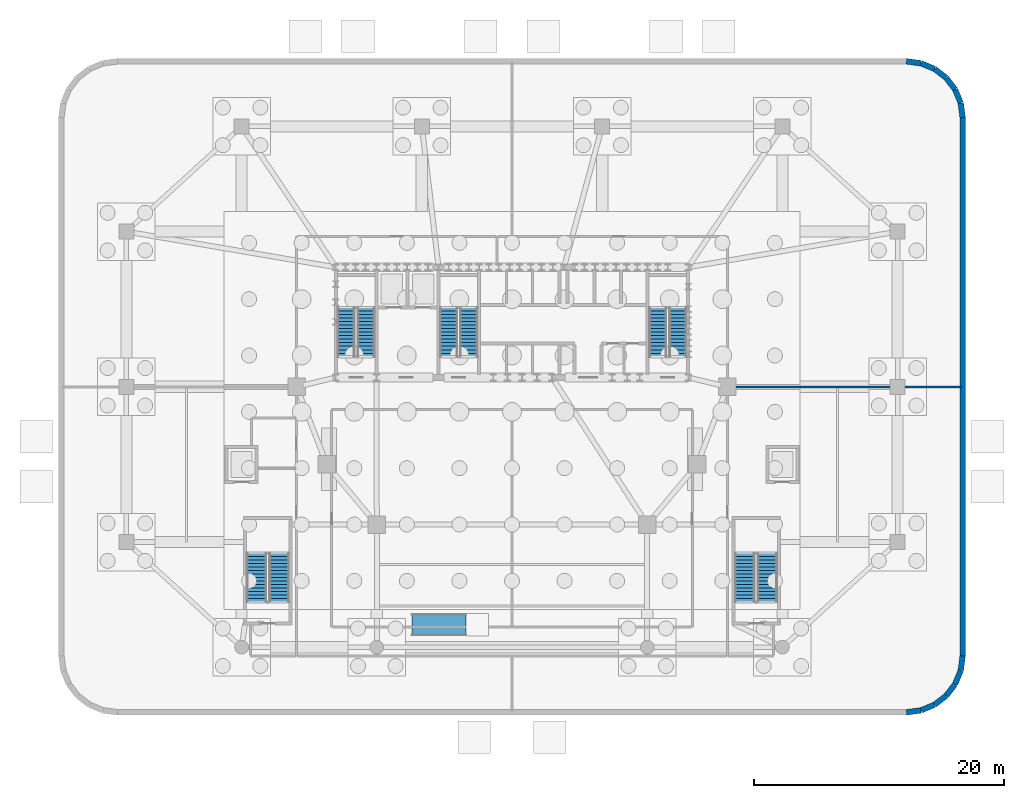
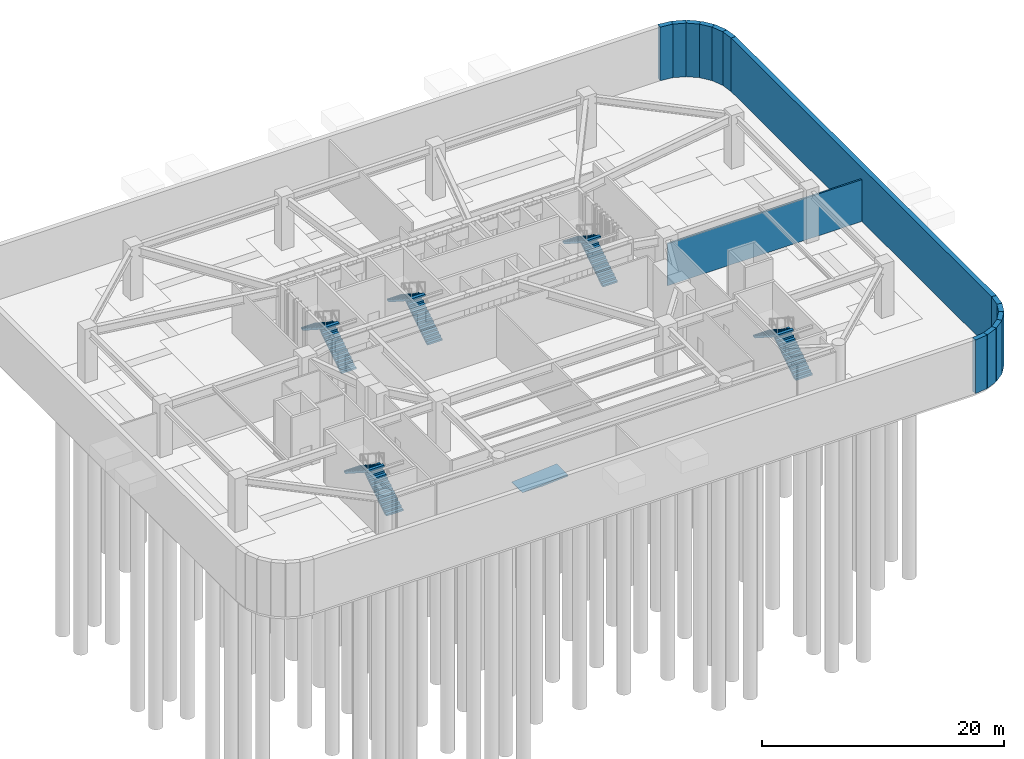
# One storey, part 7 of 11: 14 walls, 10 stair flights, 1 ramp flight, 6 elements without a shape of their own.
"""IFC4 building model written with IfcOpenShell, lengths in metres."""

from ifc_helpers import new_model, si_unit, direction, frame, frame_2d, origin, place, context, subcontext, project, spatial, polyline, rectangle, outline, extrude, material, layer, layer_set, type_object, element, aggregate, save


model = new_model("IFC4")

# Units and contexts
model_context = context("Model", 3, precision=1e-05, world=origin(), true_north=direction((0.0, 1.0)))
body_context = subcontext(model_context, "Body", "Model", "MODEL_VIEW")
ifc_project = project(units=[si_unit("LENGTHUNIT", "METRE"), si_unit("AREAUNIT", "SQUARE_METRE"), si_unit("VOLUMEUNIT", "CUBIC_METRE"), si_unit("PLANEANGLEUNIT", "RADIAN"), si_unit("MASSUNIT", "GRAM", prefix="KILO")], contexts=[model_context])

# Site, building, storey
site_placement = place(None, origin())
site = spatial("IfcSite", under=ifc_project, at=site_placement, CompositionType="ELEMENT")
building_placement = place(site_placement, origin())
building = spatial("IfcBuilding", under=site, at=building_placement, Name="Haldorwick Loom Tower", CompositionType="ELEMENT")
storey_placement = place(building_placement, frame((0.0, 0.0, -5.39990234375)))
storey = spatial("IfcBuildingStorey", under=building, at=storey_placement, Name="B01", CompositionType="ELEMENT", Elevation=-5.39990234375)

# Walls
ifc_material_1 = material(Name="Fire-Rated Type X Gypsum Stud Assembly EI 60")
ifc_layer_1 = layer(ifc_material_1, 0.159912109375, Name="Fire-Rated Type X Gypsum Stud Assembly EI 60")
ifc_layer_set_1 = layer_set([ifc_layer_1], Name="Fire-Rated Type X Gypsum Stud Assembly EI 60")
wall_type_1 = type_object("IfcWallType", Name="ARC-WL-FIRE160", PredefinedType="PARTITIONING", material=ifc_layer_set_1)
wall_1_placement = place(storey_placement, frame((53.282958984375, 26.0, 0.0), z_axis=(0.0, 0.0, 1.0), x_axis=(1.0, 0.0, 0.0)))
element("IfcWall", 1, at=wall_1_placement, inside=storey, type_object=wall_type_1, Name="B01 Podium Partition B01-DV4", PredefinedType="PARTITIONING", context=body_context, shape_type="SweptSolid", body=[
    extrude(rectangle(XDim=18.616943359375, YDim=0.159912109375, at=frame_2d((9.30859375, 0.0))), origin(), (0.0, 0.0, 1.0), 4.219970703125),
])
ifc_material_2 = material(Name="Concrete C45 (45 MPa)", Category="concrete")
ifc_layer_2 = layer(ifc_material_2, 0.449951171875, Name="Concrete C45 (45 MPa)", Category="concrete")
ifc_layer_set_2 = layer_set([ifc_layer_2], Name="Concrete C45 (45 MPa)")
wall_type_2 = type_object("IfcWallType", Name="STR-WL-BSMT450", PredefinedType="SOLIDWALL", material=ifc_layer_set_2)
wall_2_placement = place(storey_placement, frame((67.5, 0.0, 0.0), z_axis=(0.0, 0.0, 1.0), x_axis=(0.991447928588, 0.130502892298, 0.0)))
element("IfcWall", 2, at=wall_2_placement, inside=storey, type_object=wall_type_2, Name="B01 Perimeter Basement Retaining Wall 1", PredefinedType="SOLIDWALL", context=body_context, shape_type="SweptSolid", body=[
    extrude(rectangle(XDim=1.1748046875, YDim=0.449951171875, at=frame_2d((0.58740234375, 0.0))), origin(), (0.0, 0.0, 1.0), 5.39990234375),
])
wall_3_placement = place(storey_placement, frame((68.664794921875, 0.1533203125, 0.0), z_axis=(0.0, 0.0, 1.0), x_axis=(0.923892706888, 0.382651625058, 0.0)))
element("IfcWall", 3, at=wall_3_placement, inside=storey, type_object=wall_type_2, Name="B01 Perimeter Basement Retaining Wall 2", PredefinedType="SOLIDWALL", context=body_context, shape_type="SweptSolid", body=[
    extrude(rectangle(XDim=1.174560546875, YDim=0.449951171875, at=frame_2d((0.58740234375, 0.0))), origin(), (0.0, 0.0, 1.0), 5.39990234375),
])
for number, where, z_axis, x_axis, name in (
    (4, (69.75, 0.602783203125, 0.0), (0.0, 0.0, 1.0), (0.79324162823, 0.60890698735, 0.0), "B01 Perimeter Basement Retaining Wall 3"),
    (5, (70.681884765625, 1.318115234375, 0.0), (0.0, 0.0, 1.0), (0.60890698735, 0.79324162823, 0.0), "B01 Perimeter Basement Retaining Wall 4"),
):
    element("IfcWall", number, at=place(storey_placement, frame(where, z_axis=z_axis, x_axis=x_axis)), inside=storey, type_object=wall_type_2, Name=name, PredefinedType="SOLIDWALL", context=body_context, shape_type="SweptSolid", body=[
        extrude(rectangle(XDim=1.1748046875, YDim=0.449951171875, at=frame_2d((0.58740234375, 0.0))), origin(), (0.0, 0.0, 1.0), 5.39990234375),
    ])
wall_4_placement = place(storey_placement, frame((71.397216796875, 2.25, 0.0), z_axis=(0.0, 0.0, 1.0), x_axis=(0.382651625058, 0.923892706888, 0.0)))
element("IfcWall", 6, at=wall_4_placement, inside=storey, type_object=wall_type_2, Name="B01 Perimeter Basement Retaining Wall 5", PredefinedType="SOLIDWALL", context=body_context, shape_type="SweptSolid", body=[
    extrude(rectangle(XDim=1.174560546875, YDim=0.449951171875, at=frame_2d((0.58740234375, 0.0))), origin(), (0.0, 0.0, 1.0), 5.39990234375),
])
wall_5_placement = place(storey_placement, frame((71.8466796875, 3.335205078125, 0.0), z_axis=(0.0, 0.0, 1.0), x_axis=(0.130502892298, 0.991447928588, 0.0)))
element("IfcWall", 7, at=wall_5_placement, inside=storey, type_object=wall_type_2, Name="B01 Perimeter Basement Retaining Wall 6", PredefinedType="SOLIDWALL", context=body_context, shape_type="SweptSolid", body=[
    extrude(rectangle(XDim=1.1748046875, YDim=0.449951171875, at=frame_2d((0.58740234375, 0.0))), origin(), (0.0, 0.0, 1.0), 5.39990234375),
])
wall_6_placement = place(storey_placement, frame((72.0, 4.5, 0.0), z_axis=(0.0, 0.0, 1.0), x_axis=(0.0, 1.0, 0.0)))
element("IfcWall", 8, at=wall_6_placement, inside=storey, type_object=wall_type_2, Name="B01 Perimeter Basement Retaining Wall 7", PredefinedType="SOLIDWALL", context=body_context, shape_type="SweptSolid", body=[
    extrude(rectangle(XDim=43.0, YDim=0.449951171875, at=frame_2d((21.5, 0.0))), origin(), (0.0, 0.0, 1.0), 5.39990234375),
])
wall_7_placement = place(storey_placement, frame((72.0, 47.5, 0.0), z_axis=(0.0, 0.0, 1.0), x_axis=(-0.130502892298, 0.991447928588, 0.0)))
element("IfcWall", 9, at=wall_7_placement, inside=storey, type_object=wall_type_2, Name="B01 Perimeter Basement Retaining Wall 8", PredefinedType="SOLIDWALL", context=body_context, shape_type="SweptSolid", body=[
    extrude(rectangle(XDim=1.1748046875, YDim=0.449951171875, at=frame_2d((0.58740234375, 0.0))), origin(), (0.0, 0.0, 1.0), 5.39990234375),
])
wall_8_placement = place(storey_placement, frame((71.8466796875, 48.664794921875, 0.0), z_axis=(0.0, 0.0, 1.0), x_axis=(-0.382651625058, 0.923892706888, 0.0)))
element("IfcWall", 10, at=wall_8_placement, inside=storey, type_object=wall_type_2, Name="B01 Perimeter Basement Retaining Wall 9", PredefinedType="SOLIDWALL", context=body_context, shape_type="SweptSolid", body=[
    extrude(rectangle(XDim=1.174560546875, YDim=0.449951171875, at=frame_2d((0.58740234375, 0.0))), origin(), (0.0, 0.0, 1.0), 5.39990234375),
])
for number, where, z_axis, x_axis, name in (
    (11, (71.397216796875, 49.75, 0.0), (0.0, 0.0, 1.0), (-0.60890698735, 0.79324162823, 0.0), "B01 Perimeter Basement Retaining Wall 10"),
    (12, (70.681884765625, 50.681884765625, 0.0), (0.0, 0.0, 1.0), (-0.79324162823, 0.60890698735, 0.0), "B01 Perimeter Basement Retaining Wall 11"),
):
    element("IfcWall", number, at=place(storey_placement, frame(where, z_axis=z_axis, x_axis=x_axis)), inside=storey, type_object=wall_type_2, Name=name, PredefinedType="SOLIDWALL", context=body_context, shape_type="SweptSolid", body=[
        extrude(rectangle(XDim=1.1748046875, YDim=0.449951171875, at=frame_2d((0.58740234375, 0.0))), origin(), (0.0, 0.0, 1.0), 5.39990234375),
    ])
wall_9_placement = place(storey_placement, frame((69.75, 51.397216796875, 0.0), z_axis=(0.0, 0.0, 1.0), x_axis=(-0.923892706888, 0.382651625058, 0.0)))
element("IfcWall", 13, at=wall_9_placement, inside=storey, type_object=wall_type_2, Name="B01 Perimeter Basement Retaining Wall 12", PredefinedType="SOLIDWALL", context=body_context, shape_type="SweptSolid", body=[
    extrude(rectangle(XDim=1.174560546875, YDim=0.449951171875, at=frame_2d((0.58740234375, 0.0))), origin(), (0.0, 0.0, 1.0), 5.39990234375),
])
wall_10_placement = place(storey_placement, frame((68.664794921875, 51.8466796875, 0.0), z_axis=(0.0, 0.0, 1.0), x_axis=(-0.991447928588, 0.130502892298, 0.0)))
element("IfcWall", 14, at=wall_10_placement, inside=storey, type_object=wall_type_2, Name="B01 Perimeter Basement Retaining Wall 13", PredefinedType="SOLIDWALL", context=body_context, shape_type="SweptSolid", body=[
    extrude(rectangle(XDim=1.1748046875, YDim=0.449951171875, at=frame_2d((0.58740234375, 0.0))), origin(), (0.0, 0.0, 1.0), 5.39990234375),
])

# Stair, stair flights
ifc_material_3 = material(Name="Concrete C40 (40 MPa)", Category="concrete")
stair_type_1 = type_object("IfcStairType", Name="STR-STR-CORE", PredefinedType="HALF_TURN_STAIR", material=ifc_material_3)
stair_1_placement = place(storey_placement, origin())
stair_1 = element("IfcStair", 15, at=stair_1_placement, inside=storey, type_object=stair_type_1, Name="B01 Exit Stair ST-01", PredefinedType="HALF_TURN_STAIR")
stair_flight_type_1 = type_object("IfcStairFlightType", Name="STR-STF-1250", PredefinedType="STRAIGHT", material=ifc_material_3)
stair_flight_1_placement = place(storey_placement, frame((24.35009765625, 28.39990234375, 0.0), z_axis=(0.0, 0.0, 1.0), x_axis=(0.0, 1.0, 0.0)))
stair_flight_1 = element("IfcStairFlight", 16, at=stair_flight_1_placement, type_object=stair_flight_type_1, Name="ST-01 flight 1", NumberOfRisers=15, NumberOfTreads=14, PredefinedType="STRAIGHT", RiserHeight=0.18, TreadLength=0.28, context=body_context, shape_type="SweptSolid", body=[
    extrude(outline(polyline([(0.0, 0.0), (0.0, 0.179931640625), (0.280029296875, 0.179931640625), (0.280029296875, 0.360107421875), (0.56005859375, 0.360107421875), (0.56005859375, 0.5400390625), (0.840087890625, 0.5400390625), (0.840087890625, 0.719970703125), (1.1201171875, 0.719970703125), (1.1201171875, 0.89990234375), (1.39990234375, 0.89990234375), (1.39990234375, 1.080078125), (1.679931640625, 1.080078125), (1.679931640625, 1.260009765625), (1.9599609375, 1.260009765625), (1.9599609375, 1.43994140625), (2.239990234375, 1.43994140625), (2.239990234375, 1.6201171875), (2.52001953125, 1.6201171875), (2.52001953125, 1.800048828125), (2.800048828125, 1.800048828125), (2.800048828125, 1.97998046875), (3.080078125, 1.97998046875), (3.080078125, 2.159912109375), (3.360107421875, 2.159912109375), (3.360107421875, 2.340087890625), (3.639892578125, 2.340087890625), (3.639892578125, 2.52001953125), (3.919921875, 2.52001953125), (3.919921875, 2.699951171875), (3.919921875, 2.341796875), (0.277099609375, 0.0), (0.0, 0.0)])), frame((0.0, 0.699951171875, 0.0), z_axis=(0.0, -1.0, 0.0), x_axis=(1.0, 0.0, 0.0)), (0.0, 0.0, 1.0), 1.39990234375),
])
stair_flight_2_placement = place(storey_placement, frame((22.75, 32.320068359375, 2.699951171875), z_axis=(0.0, 0.0, 1.0), x_axis=(0.0, -1.0, 0.0)))
stair_flight_2 = element("IfcStairFlight", 17, at=stair_flight_2_placement, type_object=stair_flight_type_1, Name="ST-01 flight 2", NumberOfRisers=15, NumberOfTreads=14, PredefinedType="STRAIGHT", RiserHeight=0.18, TreadLength=0.28, context=body_context, shape_type="SweptSolid", body=[
    extrude(outline(polyline([(0.0, 0.0), (0.0, 0.179931640625), (0.280029296875, 0.179931640625), (0.280029296875, 0.360107421875), (0.56005859375, 0.360107421875), (0.56005859375, 0.5400390625), (0.840087890625, 0.5400390625), (0.840087890625, 0.719970703125), (1.1201171875, 0.719970703125), (1.1201171875, 0.89990234375), (1.39990234375, 0.89990234375), (1.39990234375, 1.080078125), (1.679931640625, 1.080078125), (1.679931640625, 1.260009765625), (1.9599609375, 1.260009765625), (1.9599609375, 1.43994140625), (2.239990234375, 1.43994140625), (2.239990234375, 1.6201171875), (2.52001953125, 1.6201171875), (2.52001953125, 1.800048828125), (2.800048828125, 1.800048828125), (2.800048828125, 1.97998046875), (3.080078125, 1.97998046875), (3.080078125, 2.159912109375), (3.360107421875, 2.159912109375), (3.360107421875, 2.340087890625), (3.639892578125, 2.340087890625), (3.639892578125, 2.52001953125), (3.919921875, 2.52001953125), (3.919921875, 2.699951171875), (3.919921875, 2.341796875), (0.277099609375, 0.0), (0.0, 0.0)])), frame((0.0, 0.699951171875, 0.0), z_axis=(0.0, -1.0, 0.0), x_axis=(1.0, 0.0, 0.0)), (0.0, 0.0, 1.0), 1.39990234375),
])
aggregate(stair_1, [stair_flight_1, stair_flight_2])

stair_2_placement = place(storey_placement, origin())
stair_2 = element("IfcStair", 18, at=stair_2_placement, inside=storey, type_object=stair_type_1, Name="B01 Exit Stair ST-02", PredefinedType="HALF_TURN_STAIR")
stair_flight_3_placement = place(storey_placement, frame((49.25, 28.39990234375, 0.0), z_axis=(0.0, 0.0, 1.0), x_axis=(0.0, 1.0, 0.0)))
stair_flight_3 = element("IfcStairFlight", 19, at=stair_flight_3_placement, type_object=stair_flight_type_1, Name="ST-02 flight 1", NumberOfRisers=15, NumberOfTreads=14, PredefinedType="STRAIGHT", RiserHeight=0.18, TreadLength=0.28, context=body_context, shape_type="SweptSolid", body=[
    extrude(outline(polyline([(0.0, 0.0), (0.0, 0.179931640625), (0.280029296875, 0.179931640625), (0.280029296875, 0.360107421875), (0.56005859375, 0.360107421875), (0.56005859375, 0.5400390625), (0.840087890625, 0.5400390625), (0.840087890625, 0.719970703125), (1.1201171875, 0.719970703125), (1.1201171875, 0.89990234375), (1.39990234375, 0.89990234375), (1.39990234375, 1.080078125), (1.679931640625, 1.080078125), (1.679931640625, 1.260009765625), (1.9599609375, 1.260009765625), (1.9599609375, 1.43994140625), (2.239990234375, 1.43994140625), (2.239990234375, 1.6201171875), (2.52001953125, 1.6201171875), (2.52001953125, 1.800048828125), (2.800048828125, 1.800048828125), (2.800048828125, 1.97998046875), (3.080078125, 1.97998046875), (3.080078125, 2.159912109375), (3.360107421875, 2.159912109375), (3.360107421875, 2.340087890625), (3.639892578125, 2.340087890625), (3.639892578125, 2.52001953125), (3.919921875, 2.52001953125), (3.919921875, 2.699951171875), (3.919921875, 2.341796875), (0.277099609375, 0.0), (0.0, 0.0)])), frame((0.0, 0.699951171875, 0.0), z_axis=(0.0, -1.0, 0.0), x_axis=(1.0, 0.0, 0.0)), (0.0, 0.0, 1.0), 1.39990234375),
])
stair_flight_4_placement = place(storey_placement, frame((47.64990234375, 32.320068359375, 2.699951171875), z_axis=(0.0, 0.0, 1.0), x_axis=(0.0, -1.0, 0.0)))
stair_flight_4 = element("IfcStairFlight", 20, at=stair_flight_4_placement, type_object=stair_flight_type_1, Name="ST-02 flight 2", NumberOfRisers=15, NumberOfTreads=14, PredefinedType="STRAIGHT", RiserHeight=0.18, TreadLength=0.28, context=body_context, shape_type="SweptSolid", body=[
    extrude(outline(polyline([(0.0, 0.0), (0.0, 0.179931640625), (0.280029296875, 0.179931640625), (0.280029296875, 0.360107421875), (0.56005859375, 0.360107421875), (0.56005859375, 0.5400390625), (0.840087890625, 0.5400390625), (0.840087890625, 0.719970703125), (1.1201171875, 0.719970703125), (1.1201171875, 0.89990234375), (1.39990234375, 0.89990234375), (1.39990234375, 1.080078125), (1.679931640625, 1.080078125), (1.679931640625, 1.260009765625), (1.9599609375, 1.260009765625), (1.9599609375, 1.43994140625), (2.239990234375, 1.43994140625), (2.239990234375, 1.6201171875), (2.52001953125, 1.6201171875), (2.52001953125, 1.800048828125), (2.800048828125, 1.800048828125), (2.800048828125, 1.97998046875), (3.080078125, 1.97998046875), (3.080078125, 2.159912109375), (3.360107421875, 2.159912109375), (3.360107421875, 2.340087890625), (3.639892578125, 2.340087890625), (3.639892578125, 2.52001953125), (3.919921875, 2.52001953125), (3.919921875, 2.699951171875), (3.919921875, 2.341796875), (0.277099609375, 0.0), (0.0, 0.0)])), frame((0.0, 0.699951171875, 0.0), z_axis=(0.0, -1.0, 0.0), x_axis=(1.0, 0.0, 0.0)), (0.0, 0.0, 1.0), 1.39990234375),
])
aggregate(stair_2, [stair_flight_3, stair_flight_4])

stair_3_placement = place(storey_placement, origin())
stair_3 = element("IfcStair", 21, at=stair_3_placement, inside=storey, type_object=stair_type_1, Name="B01 Exit Stair ST-03", PredefinedType="HALF_TURN_STAIR")
stair_flight_5_placement = place(storey_placement, frame((32.550048828125, 28.39990234375, 0.0), z_axis=(0.0, 0.0, 1.0), x_axis=(0.0, 1.0, 0.0)))
stair_flight_5 = element("IfcStairFlight", 22, at=stair_flight_5_placement, type_object=stair_flight_type_1, Name="ST-03 flight 1", NumberOfRisers=15, NumberOfTreads=14, PredefinedType="STRAIGHT", RiserHeight=0.18, TreadLength=0.28, context=body_context, shape_type="SweptSolid", body=[
    extrude(outline(polyline([(0.0, 0.0), (0.0, 0.179931640625), (0.280029296875, 0.179931640625), (0.280029296875, 0.360107421875), (0.56005859375, 0.360107421875), (0.56005859375, 0.5400390625), (0.840087890625, 0.5400390625), (0.840087890625, 0.719970703125), (1.1201171875, 0.719970703125), (1.1201171875, 0.89990234375), (1.39990234375, 0.89990234375), (1.39990234375, 1.080078125), (1.679931640625, 1.080078125), (1.679931640625, 1.260009765625), (1.9599609375, 1.260009765625), (1.9599609375, 1.43994140625), (2.239990234375, 1.43994140625), (2.239990234375, 1.6201171875), (2.52001953125, 1.6201171875), (2.52001953125, 1.800048828125), (2.800048828125, 1.800048828125), (2.800048828125, 1.97998046875), (3.080078125, 1.97998046875), (3.080078125, 2.159912109375), (3.360107421875, 2.159912109375), (3.360107421875, 2.340087890625), (3.639892578125, 2.340087890625), (3.639892578125, 2.52001953125), (3.919921875, 2.52001953125), (3.919921875, 2.699951171875), (3.919921875, 2.341796875), (0.277099609375, 0.0), (0.0, 0.0)])), frame((0.0, 0.699951171875, 0.0), z_axis=(0.0, -1.0, 0.0), x_axis=(1.0, 0.0, 0.0)), (0.0, 0.0, 1.0), 1.39990234375),
])
stair_flight_6_placement = place(storey_placement, frame((30.949951171875, 32.320068359375, 2.699951171875), z_axis=(0.0, 0.0, 1.0), x_axis=(0.0, -1.0, 0.0)))
stair_flight_6 = element("IfcStairFlight", 23, at=stair_flight_6_placement, type_object=stair_flight_type_1, Name="ST-03 flight 2", NumberOfRisers=15, NumberOfTreads=14, PredefinedType="STRAIGHT", RiserHeight=0.18, TreadLength=0.28, context=body_context, shape_type="SweptSolid", body=[
    extrude(outline(polyline([(0.0, 0.0), (0.0, 0.179931640625), (0.280029296875, 0.179931640625), (0.280029296875, 0.360107421875), (0.56005859375, 0.360107421875), (0.56005859375, 0.5400390625), (0.840087890625, 0.5400390625), (0.840087890625, 0.719970703125), (1.1201171875, 0.719970703125), (1.1201171875, 0.89990234375), (1.39990234375, 0.89990234375), (1.39990234375, 1.080078125), (1.679931640625, 1.080078125), (1.679931640625, 1.260009765625), (1.9599609375, 1.260009765625), (1.9599609375, 1.43994140625), (2.239990234375, 1.43994140625), (2.239990234375, 1.6201171875), (2.52001953125, 1.6201171875), (2.52001953125, 1.800048828125), (2.800048828125, 1.800048828125), (2.800048828125, 1.97998046875), (3.080078125, 1.97998046875), (3.080078125, 2.159912109375), (3.360107421875, 2.159912109375), (3.360107421875, 2.340087890625), (3.639892578125, 2.340087890625), (3.639892578125, 2.52001953125), (3.919921875, 2.52001953125), (3.919921875, 2.699951171875), (3.919921875, 2.341796875), (0.277099609375, 0.0), (0.0, 0.0)])), frame((0.0, 0.699951171875, 0.0), z_axis=(0.0, -1.0, 0.0), x_axis=(1.0, 0.0, 0.0)), (0.0, 0.0, 1.0), 1.39990234375),
])
aggregate(stair_3, [stair_flight_5, stair_flight_6])

stair_type_2 = type_object("IfcStairType", Name="STR-STR-POD", PredefinedType="HALF_TURN_STAIR", material=ifc_material_3)
stair_4_placement = place(storey_placement, origin())
stair_4 = element("IfcStair", 24, at=stair_4_placement, inside=storey, type_object=stair_type_2, Name="B01 Exit Stair ST-P1", PredefinedType="HALF_TURN_STAIR")
stair_flight_type_2 = type_object("IfcStairFlightType", Name="STR-STF-1450", PredefinedType="STRAIGHT", material=ifc_material_3)
stair_flight_7_placement = place(storey_placement, frame((17.39990234375, 8.800048828125, 0.0), z_axis=(0.0, 0.0, 1.0), x_axis=(0.0, 1.0, 0.0)))
stair_flight_7 = element("IfcStairFlight", 25, at=stair_flight_7_placement, type_object=stair_flight_type_2, Name="ST-P1 flight 1", NumberOfRisers=15, NumberOfTreads=14, PredefinedType="STRAIGHT", RiserHeight=0.18, TreadLength=0.28, context=body_context, shape_type="SweptSolid", body=[
    extrude(outline(polyline([(0.0, 0.0), (0.0, 0.179931640625), (0.280029296875, 0.179931640625), (0.280029296875, 0.360107421875), (0.56005859375, 0.360107421875), (0.56005859375, 0.5400390625), (0.840087890625, 0.5400390625), (0.840087890625, 0.719970703125), (1.1201171875, 0.719970703125), (1.1201171875, 0.89990234375), (1.39990234375, 0.89990234375), (1.39990234375, 1.080078125), (1.679931640625, 1.080078125), (1.679931640625, 1.260009765625), (1.9599609375, 1.260009765625), (1.9599609375, 1.43994140625), (2.239990234375, 1.43994140625), (2.239990234375, 1.6201171875), (2.52001953125, 1.6201171875), (2.52001953125, 1.800048828125), (2.800048828125, 1.800048828125), (2.800048828125, 1.97998046875), (3.080078125, 1.97998046875), (3.080078125, 2.159912109375), (3.360107421875, 2.159912109375), (3.360107421875, 2.340087890625), (3.639892578125, 2.340087890625), (3.639892578125, 2.52001953125), (3.919921875, 2.52001953125), (3.919921875, 2.699951171875), (3.919921875, 2.341796875), (0.277099609375, 0.0), (0.0, 0.0)])), frame((0.0, 0.800048828125, 0.0), z_axis=(0.0, -1.0, 0.0), x_axis=(1.0, 0.0, 0.0)), (0.0, 0.0, 1.0), 1.60009765625),
])
stair_flight_8_placement = place(storey_placement, frame((15.60009765625, 12.719970703125, 2.699951171875), z_axis=(0.0, 0.0, 1.0), x_axis=(0.0, -1.0, 0.0)))
stair_flight_8 = element("IfcStairFlight", 26, at=stair_flight_8_placement, type_object=stair_flight_type_2, Name="ST-P1 flight 2", NumberOfRisers=15, NumberOfTreads=14, PredefinedType="STRAIGHT", RiserHeight=0.18, TreadLength=0.28, context=body_context, shape_type="SweptSolid", body=[
    extrude(outline(polyline([(0.0, 0.0), (0.0, 0.179931640625), (0.280029296875, 0.179931640625), (0.280029296875, 0.360107421875), (0.56005859375, 0.360107421875), (0.56005859375, 0.5400390625), (0.840087890625, 0.5400390625), (0.840087890625, 0.719970703125), (1.1201171875, 0.719970703125), (1.1201171875, 0.89990234375), (1.39990234375, 0.89990234375), (1.39990234375, 1.080078125), (1.679931640625, 1.080078125), (1.679931640625, 1.260009765625), (1.9599609375, 1.260009765625), (1.9599609375, 1.43994140625), (2.239990234375, 1.43994140625), (2.239990234375, 1.6201171875), (2.52001953125, 1.6201171875), (2.52001953125, 1.800048828125), (2.800048828125, 1.800048828125), (2.800048828125, 1.97998046875), (3.080078125, 1.97998046875), (3.080078125, 2.159912109375), (3.360107421875, 2.159912109375), (3.360107421875, 2.340087890625), (3.639892578125, 2.340087890625), (3.639892578125, 2.52001953125), (3.919921875, 2.52001953125), (3.919921875, 2.699951171875), (3.919921875, 2.341796875), (0.277099609375, 0.0), (0.0, 0.0)])), frame((0.0, 0.800048828125, 0.0), z_axis=(0.0, -1.0, 0.0), x_axis=(1.0, 0.0, 0.0)), (0.0, 0.0, 1.0), 1.60009765625),
])
aggregate(stair_4, [stair_flight_7, stair_flight_8])

stair_5_placement = place(storey_placement, origin())
stair_5 = element("IfcStair", 27, at=stair_5_placement, inside=storey, type_object=stair_type_2, Name="B01 Exit Stair ST-P2", PredefinedType="HALF_TURN_STAIR")
stair_flight_9_placement = place(storey_placement, frame((56.39990234375, 8.800048828125, 0.0), z_axis=(0.0, 0.0, 1.0), x_axis=(0.0, 1.0, 0.0)))
stair_flight_9 = element("IfcStairFlight", 28, at=stair_flight_9_placement, type_object=stair_flight_type_2, Name="ST-P2 flight 1", NumberOfRisers=15, NumberOfTreads=14, PredefinedType="STRAIGHT", RiserHeight=0.18, TreadLength=0.28, context=body_context, shape_type="SweptSolid", body=[
    extrude(outline(polyline([(0.0, 0.0), (0.0, 0.179931640625), (0.280029296875, 0.179931640625), (0.280029296875, 0.360107421875), (0.56005859375, 0.360107421875), (0.56005859375, 0.5400390625), (0.840087890625, 0.5400390625), (0.840087890625, 0.719970703125), (1.1201171875, 0.719970703125), (1.1201171875, 0.89990234375), (1.39990234375, 0.89990234375), (1.39990234375, 1.080078125), (1.679931640625, 1.080078125), (1.679931640625, 1.260009765625), (1.9599609375, 1.260009765625), (1.9599609375, 1.43994140625), (2.239990234375, 1.43994140625), (2.239990234375, 1.6201171875), (2.52001953125, 1.6201171875), (2.52001953125, 1.800048828125), (2.800048828125, 1.800048828125), (2.800048828125, 1.97998046875), (3.080078125, 1.97998046875), (3.080078125, 2.159912109375), (3.360107421875, 2.159912109375), (3.360107421875, 2.340087890625), (3.639892578125, 2.340087890625), (3.639892578125, 2.52001953125), (3.919921875, 2.52001953125), (3.919921875, 2.699951171875), (3.919921875, 2.341796875), (0.277099609375, 0.0), (0.0, 0.0)])), frame((0.0, 0.800048828125, 0.0), z_axis=(0.0, -1.0, 0.0), x_axis=(1.0, 0.0, 0.0)), (0.0, 0.0, 1.0), 1.60009765625),
])
stair_flight_10_placement = place(storey_placement, frame((54.60009765625, 12.719970703125, 2.699951171875), z_axis=(0.0, 0.0, 1.0), x_axis=(0.0, -1.0, 0.0)))
stair_flight_10 = element("IfcStairFlight", 29, at=stair_flight_10_placement, type_object=stair_flight_type_2, Name="ST-P2 flight 2", NumberOfRisers=15, NumberOfTreads=14, PredefinedType="STRAIGHT", RiserHeight=0.18, TreadLength=0.28, context=body_context, shape_type="SweptSolid", body=[
    extrude(outline(polyline([(0.0, 0.0), (0.0, 0.179931640625), (0.280029296875, 0.179931640625), (0.280029296875, 0.360107421875), (0.56005859375, 0.360107421875), (0.56005859375, 0.5400390625), (0.840087890625, 0.5400390625), (0.840087890625, 0.719970703125), (1.1201171875, 0.719970703125), (1.1201171875, 0.89990234375), (1.39990234375, 0.89990234375), (1.39990234375, 1.080078125), (1.679931640625, 1.080078125), (1.679931640625, 1.260009765625), (1.9599609375, 1.260009765625), (1.9599609375, 1.43994140625), (2.239990234375, 1.43994140625), (2.239990234375, 1.6201171875), (2.52001953125, 1.6201171875), (2.52001953125, 1.800048828125), (2.800048828125, 1.800048828125), (2.800048828125, 1.97998046875), (3.080078125, 1.97998046875), (3.080078125, 2.159912109375), (3.360107421875, 2.159912109375), (3.360107421875, 2.340087890625), (3.639892578125, 2.340087890625), (3.639892578125, 2.52001953125), (3.919921875, 2.52001953125), (3.919921875, 2.699951171875), (3.919921875, 2.341796875), (0.277099609375, 0.0), (0.0, 0.0)])), frame((0.0, 0.800048828125, 0.0), z_axis=(0.0, -1.0, 0.0), x_axis=(1.0, 0.0, 0.0)), (0.0, 0.0, 1.0), 1.60009765625),
])
aggregate(stair_5, [stair_flight_9, stair_flight_10])

# Ramp, ramp flight
ramp_type = type_object("IfcRampType", Name="STR-RMP-CONC", PredefinedType="STRAIGHT_RUN_RAMP", material=ifc_material_3)
ramp_placement = place(storey_placement, origin())
ramp = element("IfcRamp", 30, at=ramp_placement, inside=storey, type_object=ramp_type, Name="B01 Accessible Concierge Ramp RMP-05", PredefinedType="STRAIGHT_RUN_RAMP")
ifc_layer_3 = layer(ifc_material_3, 0.219970703125, Name="Concrete C40 (40 MPa)", Category="concrete")
ifc_layer_set_3 = layer_set([ifc_layer_3], Name="Concrete C40 (40 MPa)")
ramp_flight_type = type_object("IfcRampFlightType", Name="STR-RMF-1800", PredefinedType="STRAIGHT", material=ifc_layer_set_3)
ramp_flight_placement = place(storey_placement, frame((28.0, 7.0, 0.0), z_axis=(0.0, 0.0, 1.0), x_axis=(1.0, 0.0, 0.0)))
ramp_flight = element("IfcRampFlight", 31, at=ramp_flight_placement, type_object=ramp_flight_type, Name="RMP-05 Accessible Flight", PredefinedType="STRAIGHT", context=body_context, shape_type="SweptSolid", body=[
    extrude(outline(polyline([(0.0, 0.0), (0.0, 0.02001953125), (4.320068359375, 0.360107421875), (4.320068359375, 0.16015625), (1.944091796875, 0.0), (0.0, 0.0)])), frame((0.0, 0.89990234375, 0.0), z_axis=(0.0, -1.0, 0.0), x_axis=(1.0, 0.0, 0.0)), (0.0, 0.0, 1.0), 1.800048828125),
])
aggregate(ramp, [ramp_flight])

save(model, "model.ifc")
